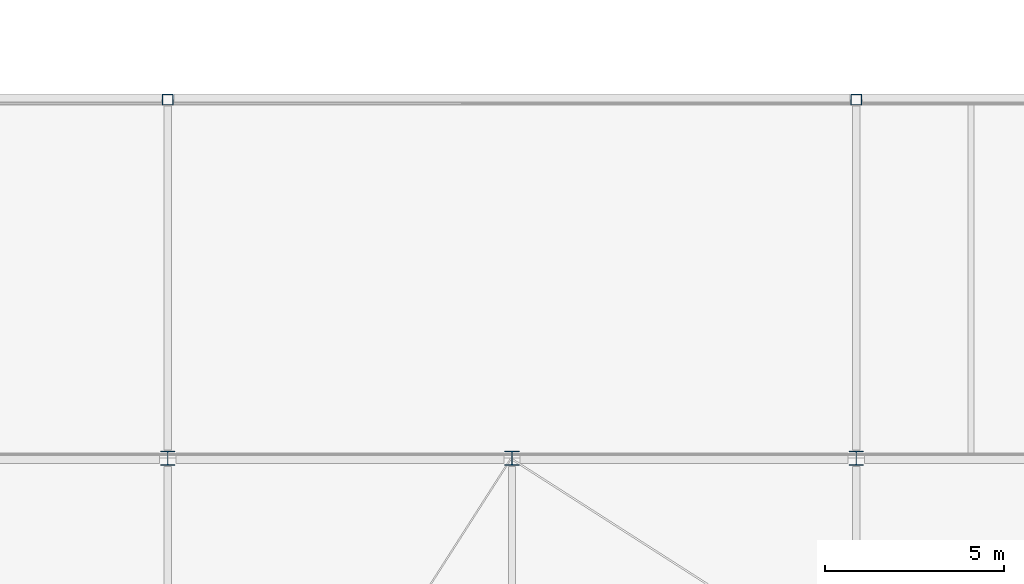
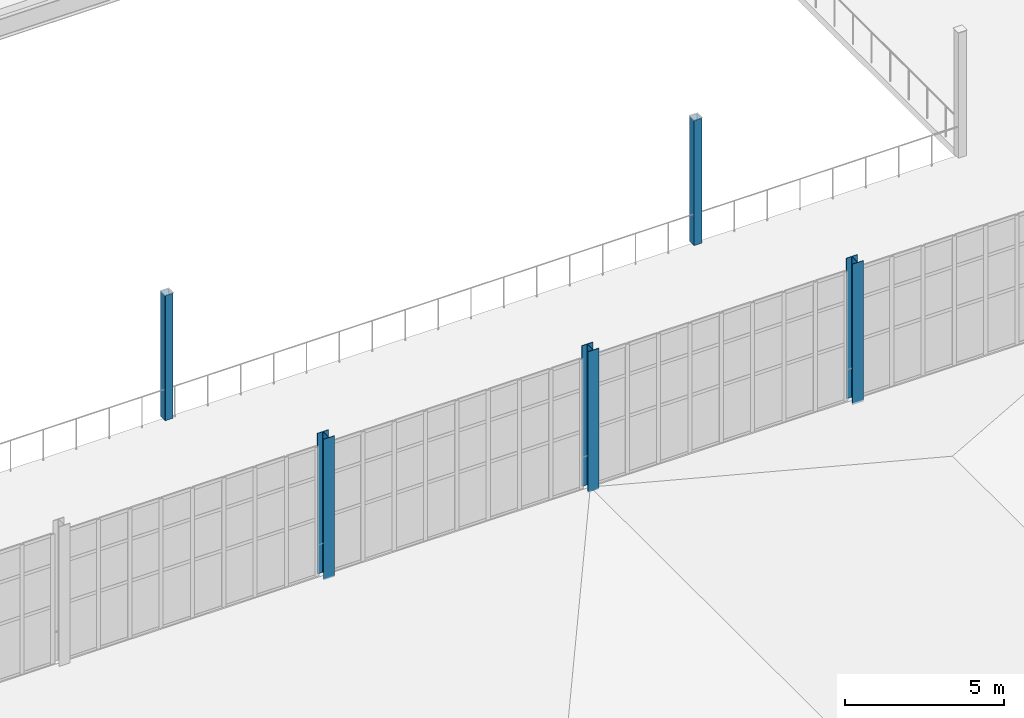
# One storey, part 6 of 112: 5 columns.
"""IFC4 building model written with IfcOpenShell, lengths in metres."""

from ifc_helpers import new_model, si_unit, direction, frame, origin, origin_2d, place, context, subcontext, project, spatial, hollow_rectangle, i_section, extrude, material, material_profile, profile_set, type_object, element, save


model = new_model("IFC4")

# Units and contexts
model_context = context("Model", 3, precision=1e-05, world=origin(), true_north=direction((0.0, 1.0)))
body_context = subcontext(model_context, "Body", "Model", "MODEL_VIEW")
ifc_project = project(units=[si_unit("LENGTHUNIT", "METRE"), si_unit("AREAUNIT", "SQUARE_METRE"), si_unit("VOLUMEUNIT", "CUBIC_METRE"), si_unit("PLANEANGLEUNIT", "RADIAN"), si_unit("MASSUNIT", "GRAM", prefix="KILO")], contexts=[model_context])

# Site, building, storey
site_placement = place(None, origin())
site = spatial("IfcSite", under=ifc_project, at=site_placement, CompositionType="ELEMENT")
building_placement = place(site_placement, origin())
building = spatial("IfcBuilding", under=site, at=building_placement, Name="Yeouljin Market Hall", CompositionType="ELEMENT")
storey_placement = place(building_placement, frame((0.0, 0.0, 6.0)))
storey = spatial("IfcBuildingStorey", under=building, at=storey_placement, Name="L01", CompositionType="ELEMENT", Elevation=6.0)

# Columns
ifc_material_1 = material(Name="Steel SM355", Category="steel")
ifc_material_profile_1 = material_profile(ifc_material_1, i_section(OverallWidth=0.39990234375, OverallDepth=0.39990234375, WebThickness=0.012939453125, FlangeThickness=0.02099609375, FilletRadius=0.02197265625, at=origin_2d()), Name="H-400x400x13x21")
ifc_profile_set_1 = profile_set([ifc_material_profile_1], Name="Steel SM355")
column_type_1 = type_object("IfcColumnType", Name="Col_H-400x400x13x21", PredefinedType="COLUMN", material=ifc_profile_set_1)
for number, where, z_axis, x_axis, name in (
    (1, (102.60009765625, 36.0, 0.0), (0.0, 0.0, 1.0), (1.0, 0.0, 0.0), "Column G-12-04 (L01)"),
    (2, (112.199951171875, 36.0, 0.0), (0.0, 0.0, 1.0), (1.0, 0.0, 0.0), "Column G-13-04 (L01)"),
    (3, (121.800048828125, 36.0, 0.0), (0.0, 0.0, 1.0), (1.0, 0.0, 0.0), "Column G-14-04 (L01)"),
):
    element("IfcColumn", number, at=place(storey_placement, frame(where, z_axis=z_axis, x_axis=x_axis)), inside=storey, type_object=column_type_1, Name=name, PredefinedType="COLUMN", context=body_context, shape_type="SweptSolid", body=[
        extrude(i_section(OverallWidth=0.39990234375, OverallDepth=0.39990234375, WebThickness=0.012939453125, FlangeThickness=0.02099609375, FilletRadius=0.02197265625, at=origin_2d()), origin(), (0.0, 0.0, 1.0), 5.39990234375),
    ])
ifc_material_2 = material(Name="Steel SM355", Category="steel")
ifc_material_profile_2 = material_profile(ifc_material_2, hollow_rectangle(XDim=0.300048828125, YDim=0.300048828125, WallThickness=0.010009765625, InnerFilletRadius=0.010009765625, OuterFilletRadius=0.01611328125, at=origin_2d()), Name="SHS-300x300x10")
ifc_profile_set_2 = profile_set([ifc_material_profile_2], Name="Steel SM355")
column_type_2 = type_object("IfcColumnType", Name="Col_SHS-300x300x10", PredefinedType="COLUMN", material=ifc_profile_set_2)
for number, where, z_axis, x_axis, name in (
    (4, (102.60009765625, 46.0, 0.0), (0.0, 0.0, 1.0), (1.0, 0.0, 0.0), "Column G-12-05 (L01)"),
    (5, (121.800048828125, 46.0, 0.0), (0.0, 0.0, 1.0), (1.0, 0.0, 0.0), "Column G-14-05 (L01)"),
):
    element("IfcColumn", number, at=place(storey_placement, frame(where, z_axis=z_axis, x_axis=x_axis)), inside=storey, type_object=column_type_2, Name=name, PredefinedType="COLUMN", context=body_context, shape_type="SweptSolid", body=[
        extrude(hollow_rectangle(XDim=0.300048828125, YDim=0.300048828125, WallThickness=0.010009765625, InnerFilletRadius=0.010009765625, OuterFilletRadius=0.01611328125, at=origin_2d()), origin(), (0.0, 0.0, 1.0), 4.800048828125),
    ])

save(model, "model.ifc")
